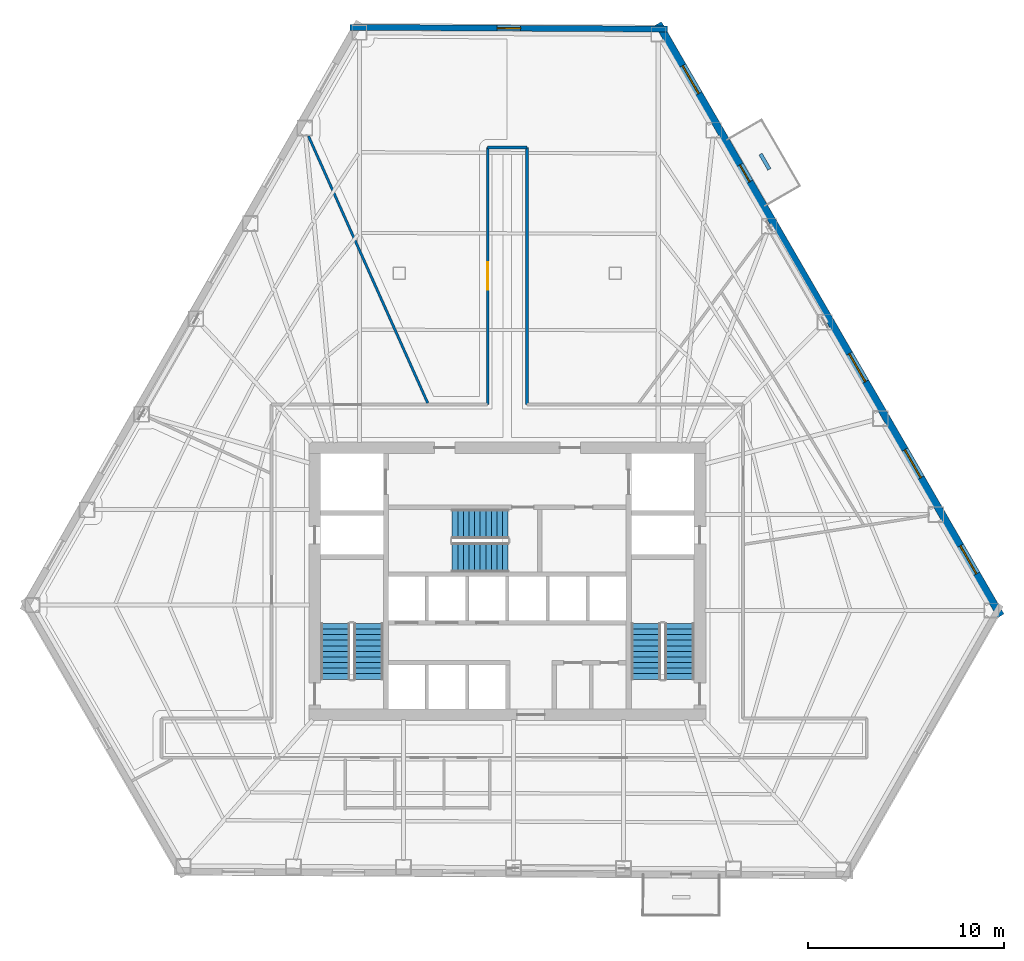
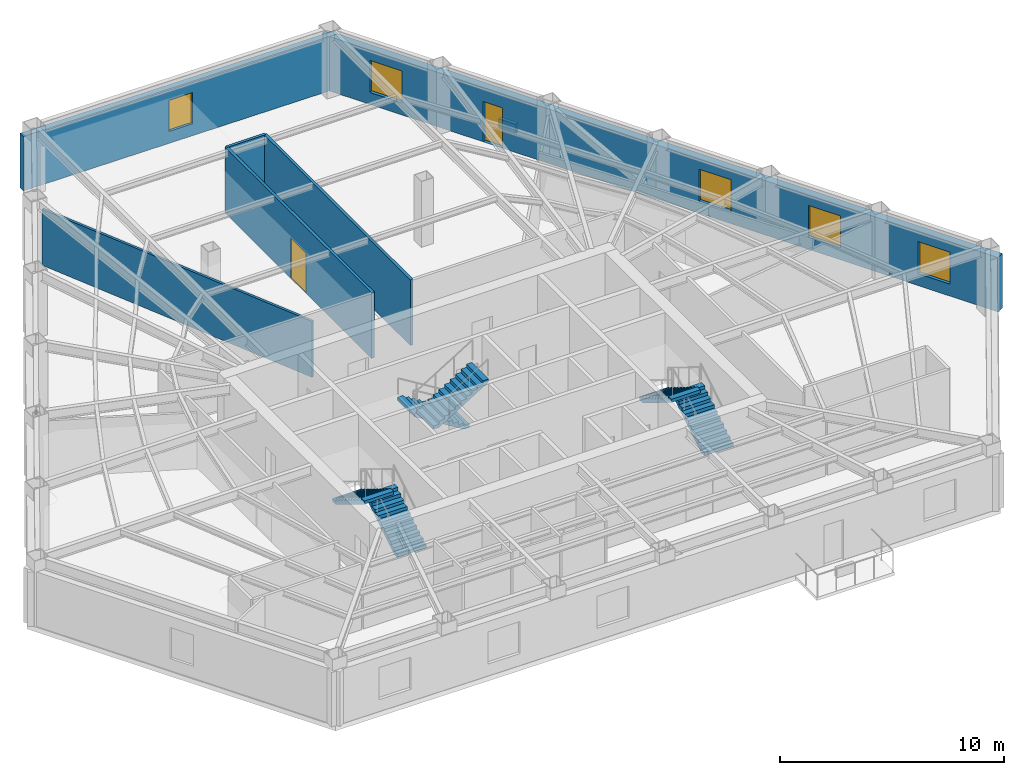
# One storey, part 8 of 12: 7 walls, 6 stair flights, 5 windows, 2 doors, 7 openings, 3 elements without a shape of their own.
"""IFC4 building model written with IfcOpenShell, lengths in metres."""

from ifc_helpers import new_model, si_unit, direction, frame, frame_2d, origin, place, context, subcontext, project, spatial, polyline, rectangle, outline, extrude, material, layer, layer_set, type_object, element, fill, aggregate, save


model = new_model("IFC4")

# Units and contexts
model_context = context("Model", 3, precision=1e-05, world=origin(), true_north=direction((0.0, 1.0)))
body_context = subcontext(model_context, "Body", "Model", "MODEL_VIEW")
ifc_project = project(units=[si_unit("LENGTHUNIT", "METRE"), si_unit("AREAUNIT", "SQUARE_METRE"), si_unit("VOLUMEUNIT", "CUBIC_METRE"), si_unit("PLANEANGLEUNIT", "RADIAN"), si_unit("MASSUNIT", "GRAM", prefix="KILO")], contexts=[model_context])

# Site, building, storey
site_placement = place(None, origin())
site = spatial("IfcSite", under=ifc_project, at=site_placement, CompositionType="ELEMENT")
building_placement = place(site_placement, origin())
building = spatial("IfcBuilding", under=site, at=building_placement, Name="Kavelnor Concourse Tower", CompositionType="ELEMENT")
storey_placement = place(building_placement, frame((0.0, 0.0, 40.64990234375)))
storey = spatial("IfcBuildingStorey", under=building, at=storey_placement, Name="L10", CompositionType="ELEMENT", Elevation=40.64990234375)

# Wall, opening, window
ifc_material_1 = material(Name="Buff ironspot clay face brick masonry", Category="masonry")
ifc_layer_1 = layer(ifc_material_1, 0.300048828125, Name="Buff ironspot clay face brick masonry")
ifc_layer_set_1 = layer_set([ifc_layer_1], Name="Buff ironspot clay face brick masonry")
wall_type_1 = type_object("IfcWallType", Name="WL-EXT-BUFF-BRICK-FOLD-300", PredefinedType="STANDARD", material=ifc_layer_set_1)
wall_1_placement = place(storey_placement, frame((29.977294921875, 44.3349609375, 0.0), z_axis=(0.0, 0.0, 1.0), x_axis=(0.999984941481, -0.005487878522, 0.0)))
wall_1 = element("IfcWall", 1, at=wall_1_placement, inside=storey, type_object=wall_type_1, Name="L10 Exterior Brick Facade Wall E0", PredefinedType="STANDARD", context=body_context, shape_type="SweptSolid", body=[
    extrude(rectangle(XDim=16.193359375, YDim=0.300048828125, at=frame_2d((8.0966796875, 0.0))), origin(), (0.0, 0.0, 1.0), 2.97021484375),
])
opening_1_placement = place(wall_1_placement, frame((7.496826171875, 0.0, 0.64990234375)))
opening_1 = element("IfcOpeningElement", 2, at=opening_1_placement, cuts=wall_1, Name="Opening W-05", PredefinedType="OPENING", context=body_context, shape_type="SweptSolid", body=[
    extrude(rectangle(XDim=1.199951171875, YDim=1.699951171875, at=frame_2d((0.60009765625, 0.85009765625))), frame((0.0, 0.16015625, 0.0), z_axis=(0.0, -1.0, 0.0), x_axis=(1.0, 0.0, 0.0)), (0.0, 0.0, 1.0), 0.320068359375),
])
ifc_material_2 = material(Name="Double low-E argon insulated glazing", Category="glass")
window_type_1 = type_object("IfcWindowType", Name="WIN-FOLD-1200", PartitioningType="SINGLE_PANEL", PredefinedType="WINDOW", material=ifc_material_2)
window_1_placement = place(opening_1_placement, origin())
window_1 = element("IfcWindow", 3, at=window_1_placement, inside=storey, type_object=window_type_1, Name="L10 Chamfer-Fold Facet Window C0", OverallHeight=1.699951171875, OverallWidth=1.199951171875, PartitioningType="SINGLE_PANEL", PredefinedType="WINDOW", context=body_context, shape_type="SweptSolid", body=[
    extrude(rectangle(XDim=1.199951171875, YDim=1.699951171875, at=frame_2d((0.60009765625, 0.85009765625))), frame((0.0, 0.030029296875, 0.0), z_axis=(0.0, -1.0, 0.0), x_axis=(1.0, 0.0, 0.0)), (0.0, 0.0, 1.0), 0.06005859375),
])
fill(opening_1, window_1)

# Wall, openings, door, windows
ifc_material_3 = material(Name="Red-ochre clay face brick masonry", Category="masonry")
ifc_layer_2 = layer(ifc_material_3, 0.3798828125, Name="Red-ochre clay face brick masonry")
ifc_layer_set_2 = layer_set([ifc_layer_2], Name="Red-ochre clay face brick masonry")
wall_type_2 = type_object("IfcWallType", Name="WL-EXT-RED-BRICK-PIER-380", PredefinedType="STANDARD", material=ifc_layer_set_2)
wall_2_placement = place(storey_placement, frame((45.689697265625, 44.525390625, 0.0), z_axis=(0.0, 0.0, 1.0), x_axis=(0.500663446356, -0.865642023866, 0.0)))
wall_2 = element("IfcWall", 4, at=wall_2_placement, inside=storey, type_object=wall_type_2, Name="L10 Exterior Brick Facade Wall E5", PredefinedType="STANDARD", context=body_context, shape_type="SweptSolid", body=[
    extrude(rectangle(XDim=34.8779296875, YDim=0.3798828125, at=frame_2d((17.43896484375, 0.0))), origin(), (0.0, 0.0, 1.0), 2.97021484375),
])
opening_2_placement = place(wall_2_placement, frame((8.3193359375, 0.0, 0.0)))
opening_2 = element("IfcOpeningElement", 5, at=opening_2_placement, cuts=wall_2, Name="Opening BD-100", PredefinedType="OPENING", context=body_context, shape_type="SweptSolid", body=[
    extrude(rectangle(XDim=1.0, YDim=2.199951171875, at=frame_2d((0.5, 1.10009765625))), frame((0.0, 0.199951171875, 0.0), z_axis=(0.0, -1.0, 0.0), x_axis=(1.0, 0.0, 0.0)), (0.0, 0.0, 1.0), 0.39990234375),
])
opening_3_placement = place(wall_2_placement, frame((30.749755859375, 0.0, 0.64990234375)))
opening_3 = element("IfcOpeningElement", 6, at=opening_3_placement, cuts=wall_2, Name="Opening W-01", PredefinedType="OPENING", context=body_context, shape_type="SweptSolid", body=[
    extrude(rectangle(XDim=1.64990234375, YDim=1.75, at=frame_2d((0.824951171875, 0.875))), frame((0.0, 0.199951171875, 0.0), z_axis=(0.0, -1.0, 0.0), x_axis=(1.0, 0.0, 0.0)), (0.0, 0.0, 1.0), 0.39990234375),
])
opening_4_placement = place(wall_2_placement, frame((25.09521484375, 0.0, 0.64990234375)))
opening_4 = element("IfcOpeningElement", 7, at=opening_4_placement, cuts=wall_2, Name="Opening W-01", PredefinedType="OPENING", context=body_context, shape_type="SweptSolid", body=[
    extrude(rectangle(XDim=1.64990234375, YDim=1.75, at=frame_2d((0.824951171875, 0.875))), frame((0.0, 0.199951171875, 0.0), z_axis=(0.0, -1.0, 0.0), x_axis=(1.0, 0.0, 0.0)), (0.0, 0.0, 1.0), 0.39990234375),
])
opening_5_placement = place(wall_2_placement, frame((19.44091796875, 0.0, 0.64990234375)))
opening_5 = element("IfcOpeningElement", 8, at=opening_5_placement, cuts=wall_2, Name="Opening W-01", PredefinedType="OPENING", context=body_context, shape_type="SweptSolid", body=[
    extrude(rectangle(XDim=1.64990234375, YDim=1.75, at=frame_2d((0.824951171875, 0.875))), frame((0.0, 0.199951171875, 0.0), z_axis=(0.0, -1.0, 0.0), x_axis=(1.0, 0.0, 0.0)), (0.0, 0.0, 1.0), 0.39990234375),
])
opening_6_placement = place(wall_2_placement, frame((2.477294921875, 0.0, 0.64990234375)))
opening_6 = element("IfcOpeningElement", 9, at=opening_6_placement, cuts=wall_2, Name="Opening W-01", PredefinedType="OPENING", context=body_context, shape_type="SweptSolid", body=[
    extrude(rectangle(XDim=1.64990234375, YDim=1.75, at=frame_2d((0.824951171875, 0.875))), frame((0.0, 0.199951171875, 0.0), z_axis=(0.0, -1.0, 0.0), x_axis=(1.0, 0.0, 0.0)), (0.0, 0.0, 1.0), 0.39990234375),
])
ifc_material_4 = material(Name="Anodised aluminium 6063-T6", Category="aluminium")
door_type_1 = type_object("IfcDoorType", Name="DR-BALCONY-EXT-1000", OperationType="NOTDEFINED", PredefinedType="DOOR", material=ifc_material_4)
door_1_placement = place(opening_2_placement, origin())
door_1 = element("IfcDoor", 10, at=door_1_placement, inside=storey, type_object=door_type_1, Name="L10 Tree Balcony 2 Glazed Door", OperationType="SINGLE_SWING_RIGHT", OverallHeight=2.199951171875, OverallWidth=1.0, PredefinedType="DOOR", context=body_context, shape_type="SweptSolid", body=[
    extrude(rectangle(XDim=1.0, YDim=2.199951171875, at=frame_2d((0.5, 1.10009765625))), frame((0.0, 0.02490234375, 0.0), z_axis=(0.0, -1.0, 0.0), x_axis=(1.0, 0.0, 0.0)), (0.0, 0.0, 1.0), 0.050048828125),
])
fill(opening_2, door_1)
window_type_2 = type_object("IfcWindowType", Name="WIN-PIER-Z1-1800", PartitioningType="SINGLE_PANEL", PredefinedType="WINDOW", material=ifc_material_2)
window_2_placement = place(opening_3_placement, origin())
window_2 = element("IfcWindow", 11, at=window_2_placement, inside=storey, type_object=window_type_2, Name="L10 Deep-Set Brick Pier Window F2-B0", OverallHeight=1.75, OverallWidth=1.64990234375, PartitioningType="SINGLE_PANEL", PredefinedType="WINDOW", context=body_context, shape_type="SweptSolid", body=[
    extrude(rectangle(XDim=1.64990234375, YDim=1.75, at=frame_2d((0.824951171875, 0.875))), frame((0.0, 0.030029296875, 0.0), z_axis=(0.0, -1.0, 0.0), x_axis=(1.0, 0.0, 0.0)), (0.0, 0.0, 1.0), 0.06005859375),
])
fill(opening_3, window_2)
window_3_placement = place(opening_4_placement, origin())
window_3 = element("IfcWindow", 12, at=window_3_placement, inside=storey, type_object=window_type_2, Name="L10 Deep-Set Brick Pier Window F2-B1", OverallHeight=1.75, OverallWidth=1.64990234375, PartitioningType="SINGLE_PANEL", PredefinedType="WINDOW", context=body_context, shape_type="SweptSolid", body=[
    extrude(rectangle(XDim=1.64990234375, YDim=1.75, at=frame_2d((0.824951171875, 0.875))), frame((0.0, 0.030029296875, 0.0), z_axis=(0.0, -1.0, 0.0), x_axis=(1.0, 0.0, 0.0)), (0.0, 0.0, 1.0), 0.06005859375),
])
fill(opening_4, window_3)
window_4_placement = place(opening_5_placement, origin())
window_4 = element("IfcWindow", 13, at=window_4_placement, inside=storey, type_object=window_type_2, Name="L10 Deep-Set Brick Pier Window F2-B2", OverallHeight=1.75, OverallWidth=1.64990234375, PartitioningType="SINGLE_PANEL", PredefinedType="WINDOW", context=body_context, shape_type="SweptSolid", body=[
    extrude(rectangle(XDim=1.64990234375, YDim=1.75, at=frame_2d((0.824951171875, 0.875))), frame((0.0, 0.030029296875, 0.0), z_axis=(0.0, -1.0, 0.0), x_axis=(1.0, 0.0, 0.0)), (0.0, 0.0, 1.0), 0.06005859375),
])
fill(opening_5, window_4)
window_5_placement = place(opening_6_placement, origin())
window_5 = element("IfcWindow", 14, at=window_5_placement, inside=storey, type_object=window_type_2, Name="L10 Deep-Set Brick Pier Window F2-B5", OverallHeight=1.75, OverallWidth=1.64990234375, PartitioningType="SINGLE_PANEL", PredefinedType="WINDOW", context=body_context, shape_type="SweptSolid", body=[
    extrude(rectangle(XDim=1.64990234375, YDim=1.75, at=frame_2d((0.824951171875, 0.875))), frame((0.0, 0.030029296875, 0.0), z_axis=(0.0, -1.0, 0.0), x_axis=(1.0, 0.0, 0.0)), (0.0, 0.0, 1.0), 0.06005859375),
])
fill(opening_6, window_5)

# Wall, opening, door
ifc_material_5 = material(Name="Gypsum plasterboard on light-gauge steel studs", Category="steel")
ifc_layer_3 = layer(ifc_material_5, 0.14501953125, Name="Gypsum plasterboard on light-gauge steel studs")
ifc_layer_set_3 = layer_set([ifc_layer_3], Name="Gypsum plasterboard on light-gauge steel studs")
wall_type_3 = type_object("IfcWallType", Name="WL-INT-CORR-145", PredefinedType="PARTITIONING", material=ifc_layer_set_3)
wall_3_placement = place(storey_placement, frame((37.0, 25.10009765625, 0.0), z_axis=(0.0, 0.0, 1.0), x_axis=(0.0, 1.0, 0.0)))
wall_3 = element("IfcWall", 15, at=wall_3_placement, inside=storey, type_object=wall_type_3, Name="L10 Corridor Wall WL-L10-CR-04", PredefinedType="PARTITIONING", context=body_context, shape_type="SweptSolid", body=[
    extrude(rectangle(XDim=13.099853515625, YDim=0.14501953125, at=frame_2d((6.5498046875, 0.0))), origin(), (0.0, 0.0, 1.0), 3.590087890625),
])
opening_7_placement = place(wall_3_placement, frame((5.85009765625, 0.0, 0.0)))
opening_7 = element("IfcOpeningElement", 16, at=opening_7_placement, cuts=wall_3, Name="Opening SD-140", PredefinedType="OPENING", context=body_context, shape_type="SweptSolid", body=[
    extrude(rectangle(XDim=1.39990234375, YDim=2.199951171875, at=frame_2d((0.699951171875, 1.10009765625))), frame((0.0, 0.08251953125, 0.0), z_axis=(0.0, -1.0, 0.0), x_axis=(1.0, 0.0, 0.0)), (0.0, 0.0, 1.0), 0.1650390625),
])
ifc_material_6 = material(Name="Solid-core hardwood timber", Category="wood")
door_type_2 = type_object("IfcDoorType", Name="DR-SUITE-ENTRY-1400", OperationType="NOTDEFINED", PredefinedType="DOOR", material=ifc_material_6)
door_2_placement = place(opening_7_placement, origin())
door_2 = element("IfcDoor", 17, at=door_2_placement, inside=storey, type_object=door_type_2, Name="L10 Tenant Bookstore Retail Shop 03 Door", OperationType="SINGLE_SWING_RIGHT", OverallHeight=2.199951171875, OverallWidth=1.39990234375, PredefinedType="DOOR", context=body_context, shape_type="SweptSolid", body=[
    extrude(rectangle(XDim=1.39990234375, YDim=2.199951171875, at=frame_2d((0.699951171875, 1.10009765625))), frame((0.0, 0.02490234375, 0.0), z_axis=(0.0, -1.0, 0.0), x_axis=(1.0, 0.0, 0.0)), (0.0, 0.0, 1.0), 0.050048828125),
])
fill(opening_7, door_2)

# Walls
wall_4_placement = place(storey_placement, frame((37.0, 38.199951171875, 0.0), z_axis=(0.0, 0.0, 1.0), x_axis=(1.0, 0.0, 0.0)))
element("IfcWall", 18, at=wall_4_placement, inside=storey, type_object=wall_type_3, Name="L10 Corridor Wall WL-L10-CR-05", PredefinedType="PARTITIONING", context=body_context, shape_type="SweptSolid", body=[
    extrude(rectangle(XDim=2.0, YDim=0.14501953125, at=frame_2d((1.0, 0.0))), origin(), (0.0, 0.0, 1.0), 3.590087890625),
])
wall_5_placement = place(storey_placement, frame((39.0, 38.199951171875, 0.0), z_axis=(0.0, 0.0, 1.0), x_axis=(0.0, -1.0, 0.0)))
element("IfcWall", 19, at=wall_5_placement, inside=storey, type_object=wall_type_3, Name="L10 Corridor Wall WL-L10-CR-06", PredefinedType="PARTITIONING", context=body_context, shape_type="SweptSolid", body=[
    extrude(rectangle(XDim=13.099853515625, YDim=0.14501953125, at=frame_2d((6.5498046875, 0.0))), origin(), (0.0, 0.0, 1.0), 3.590087890625),
])
ifc_layer_4 = layer(ifc_material_5, 0.125, Name="Gypsum plasterboard on light-gauge steel studs")
ifc_layer_set_4 = layer_set([ifc_layer_4], Name="Gypsum plasterboard on light-gauge steel studs")
wall_type_4 = type_object("IfcWallType", Name="WL-INT-SUITE-125", PredefinedType="PARTITIONING", material=ifc_layer_set_4)
wall_6_placement = place(storey_placement, frame((33.94287109375, 25.180419921875, 0.0), z_axis=(0.0, 0.0, 1.0), x_axis=(-0.407913921954, 0.913020389847, 0.0)))
element("IfcWall", 20, at=wall_6_placement, inside=storey, type_object=wall_type_4, Name="L10 Radial Suite Partition 03", PredefinedType="PARTITIONING", context=body_context, shape_type="SweptSolid", body=[
    extrude(rectangle(XDim=14.908203125, YDim=0.125, at=frame_2d((7.4541015625, 0.0))), origin(), (0.0, 0.0, 1.0), 3.05712890625),
])
ifc_material_7 = material(Name="Architectural precast planter concrete C40/50", Category="concrete")
ifc_layer_5 = layer(ifc_material_7, 0.18994140625, Name="Architectural precast planter concrete C40/50")
ifc_layer_set_5 = layer_set([ifc_layer_5], Name="Architectural precast planter concrete C40/50")
wall_type_5 = type_object("IfcWallType", Name="WL-PLANTER-KERB-190", PredefinedType="USERDEFINED", material=ifc_layer_set_5)
wall_7_placement = place(storey_placement, frame((51.3564453125, 37.094482421875, 0.0), z_axis=(0.0, 0.0, 1.0), x_axis=(-0.500747535571, 0.865593383535, 0.0)))
element("IfcWall", 21, at=wall_7_placement, inside=storey, type_object=wall_type_5, Name="L10 Tree Balcony 2 Tree Planter Kerb", ObjectType="PLANTER", PredefinedType="USERDEFINED", context=body_context, shape_type="SweptSolid", body=[
    extrude(rectangle(XDim=0.89990234375, YDim=0.18994140625, at=frame_2d((0.449951171875, 0.0))), origin(), (0.0, 0.0, 1.0), 0.5),
])

# Stair, stair flights
ifc_material_8 = material(Name="Concrete C40/50", Category="concrete")
stair_type = type_object("IfcStairType", Name="STR-CORE-1500", PredefinedType="HALF_TURN_STAIR", material=ifc_material_8)
stair_1_placement = place(storey_placement, origin())
stair_1 = element("IfcStair", 22, at=stair_1_placement, inside=storey, type_object=stair_type, Name="L10 ST1", PredefinedType="HALF_TURN_STAIR")
stair_flight_type = type_object("IfcStairFlightType", Name="STR-FLIGHT-1500", PredefinedType="STRAIGHT", material=ifc_material_8)
stair_flight_1_placement = place(storey_placement, frame((30.929931640625, 11.10009765625, 0.0), z_axis=(0.0, 0.0, 1.0), x_axis=(0.0, 1.0, 0.0)))
stair_flight_1 = element("IfcStairFlight", 23, at=stair_flight_1_placement, type_object=stair_flight_type, Name="ST1 flight 1", NumberOfRisers=11, NumberOfTreads=10, PredefinedType="STRAIGHT", RiserHeight=0.175, TreadLength=0.285, context=body_context, shape_type="SweptSolid", body=[
    extrude(outline(polyline([(0.0, 0.0), (0.0, 0.175048828125), (0.284912109375, 0.175048828125), (0.284912109375, 0.35009765625), (0.570068359375, 0.35009765625), (0.570068359375, 0.52490234375), (0.85498046875, 0.52490234375), (0.85498046875, 0.699951171875), (1.139892578125, 0.699951171875), (1.139892578125, 0.875), (1.425048828125, 0.875), (1.425048828125, 1.050048828125), (1.7099609375, 1.050048828125), (1.7099609375, 1.22509765625), (1.9951171875, 1.22509765625), (1.9951171875, 1.39990234375), (2.280029296875, 1.39990234375), (2.280029296875, 1.574951171875), (2.56494140625, 1.574951171875), (2.56494140625, 1.75), (2.85009765625, 1.75), (2.85009765625, 1.925048828125), (2.85009765625, 1.573974609375), (0.286376953125, 0.0), (0.0, 0.0)])), frame((0.0, 0.75, 0.0), z_axis=(0.0, -1.0, 0.0), x_axis=(1.0, 0.0, 0.0)), (0.0, 0.0, 1.0), 1.5),
])
stair_flight_2_placement = place(storey_placement, frame((29.22998046875, 13.949951171875, 1.925048828125), z_axis=(0.0, 0.0, 1.0), x_axis=(0.0, -1.0, 0.0)))
stair_flight_2 = element("IfcStairFlight", 24, at=stair_flight_2_placement, type_object=stair_flight_type, Name="ST1 flight 2", NumberOfRisers=11, NumberOfTreads=10, PredefinedType="STRAIGHT", RiserHeight=0.175, TreadLength=0.285, context=body_context, shape_type="SweptSolid", body=[
    extrude(outline(polyline([(0.0, 0.0), (0.0, 0.175048828125), (0.284912109375, 0.175048828125), (0.284912109375, 0.35009765625), (0.570068359375, 0.35009765625), (0.570068359375, 0.52490234375), (0.85498046875, 0.52490234375), (0.85498046875, 0.699951171875), (1.139892578125, 0.699951171875), (1.139892578125, 0.875), (1.425048828125, 0.875), (1.425048828125, 1.050048828125), (1.7099609375, 1.050048828125), (1.7099609375, 1.22509765625), (1.9951171875, 1.22509765625), (1.9951171875, 1.39990234375), (2.280029296875, 1.39990234375), (2.280029296875, 1.574951171875), (2.56494140625, 1.574951171875), (2.56494140625, 1.75), (2.85009765625, 1.75), (2.85009765625, 1.925048828125), (2.85009765625, 1.573974609375), (0.286376953125, 0.0), (0.0, 0.0)])), frame((0.0, 0.75, 0.0), z_axis=(0.0, -1.0, 0.0), x_axis=(1.0, 0.0, 0.0)), (0.0, 0.0, 1.0), 1.5),
])
aggregate(stair_1, [stair_flight_1, stair_flight_2])

stair_2_placement = place(storey_placement, origin())
stair_2 = element("IfcStair", 25, at=stair_2_placement, inside=storey, type_object=stair_type, Name="L10 ST2", PredefinedType="HALF_TURN_STAIR")
stair_flight_3_placement = place(storey_placement, frame((46.77001953125, 11.10009765625, 0.0), z_axis=(0.0, 0.0, 1.0), x_axis=(0.0, 1.0, 0.0)))
stair_flight_3 = element("IfcStairFlight", 26, at=stair_flight_3_placement, type_object=stair_flight_type, Name="ST2 flight 1", NumberOfRisers=11, NumberOfTreads=10, PredefinedType="STRAIGHT", RiserHeight=0.175, TreadLength=0.285, context=body_context, shape_type="SweptSolid", body=[
    extrude(outline(polyline([(0.0, 0.0), (0.0, 0.175048828125), (0.284912109375, 0.175048828125), (0.284912109375, 0.35009765625), (0.570068359375, 0.35009765625), (0.570068359375, 0.52490234375), (0.85498046875, 0.52490234375), (0.85498046875, 0.699951171875), (1.139892578125, 0.699951171875), (1.139892578125, 0.875), (1.425048828125, 0.875), (1.425048828125, 1.050048828125), (1.7099609375, 1.050048828125), (1.7099609375, 1.22509765625), (1.9951171875, 1.22509765625), (1.9951171875, 1.39990234375), (2.280029296875, 1.39990234375), (2.280029296875, 1.574951171875), (2.56494140625, 1.574951171875), (2.56494140625, 1.75), (2.85009765625, 1.75), (2.85009765625, 1.925048828125), (2.85009765625, 1.573974609375), (0.286376953125, 0.0), (0.0, 0.0)])), frame((0.0, 0.75, 0.0), z_axis=(0.0, -1.0, 0.0), x_axis=(1.0, 0.0, 0.0)), (0.0, 0.0, 1.0), 1.5),
])
stair_flight_4_placement = place(storey_placement, frame((45.070068359375, 13.949951171875, 1.925048828125), z_axis=(0.0, 0.0, 1.0), x_axis=(0.0, -1.0, 0.0)))
stair_flight_4 = element("IfcStairFlight", 27, at=stair_flight_4_placement, type_object=stair_flight_type, Name="ST2 flight 2", NumberOfRisers=11, NumberOfTreads=10, PredefinedType="STRAIGHT", RiserHeight=0.175, TreadLength=0.285, context=body_context, shape_type="SweptSolid", body=[
    extrude(outline(polyline([(0.0, 0.0), (0.0, 0.175048828125), (0.284912109375, 0.175048828125), (0.284912109375, 0.35009765625), (0.570068359375, 0.35009765625), (0.570068359375, 0.52490234375), (0.85498046875, 0.52490234375), (0.85498046875, 0.699951171875), (1.139892578125, 0.699951171875), (1.139892578125, 0.875), (1.425048828125, 0.875), (1.425048828125, 1.050048828125), (1.7099609375, 1.050048828125), (1.7099609375, 1.22509765625), (1.9951171875, 1.22509765625), (1.9951171875, 1.39990234375), (2.280029296875, 1.39990234375), (2.280029296875, 1.574951171875), (2.56494140625, 1.574951171875), (2.56494140625, 1.75), (2.85009765625, 1.75), (2.85009765625, 1.925048828125), (2.85009765625, 1.573974609375), (0.286376953125, 0.0), (0.0, 0.0)])), frame((0.0, 0.75, 0.0), z_axis=(0.0, -1.0, 0.0), x_axis=(1.0, 0.0, 0.0)), (0.0, 0.0, 1.0), 1.5),
])
aggregate(stair_2, [stair_flight_3, stair_flight_4])

stair_3_placement = place(storey_placement, origin())
stair_3 = element("IfcStair", 28, at=stair_3_placement, inside=storey, type_object=stair_type, Name="L10 ST3", PredefinedType="HALF_TURN_STAIR")
stair_flight_5_placement = place(storey_placement, frame((38.0400390625, 19.010009765625, 0.0), z_axis=(0.0, 0.0, 1.0), x_axis=(-1.0, 0.0, 0.0)))
stair_flight_5 = element("IfcStairFlight", 29, at=stair_flight_5_placement, type_object=stair_flight_type, Name="ST3 flight 1", NumberOfRisers=11, NumberOfTreads=10, PredefinedType="STRAIGHT", RiserHeight=0.175, TreadLength=0.285, context=body_context, shape_type="SweptSolid", body=[
    extrude(outline(polyline([(0.0, 0.0), (0.0, 0.175048828125), (0.284912109375, 0.175048828125), (0.284912109375, 0.35009765625), (0.570068359375, 0.35009765625), (0.570068359375, 0.52490234375), (0.85498046875, 0.52490234375), (0.85498046875, 0.699951171875), (1.139892578125, 0.699951171875), (1.139892578125, 0.875), (1.425048828125, 0.875), (1.425048828125, 1.050048828125), (1.7099609375, 1.050048828125), (1.7099609375, 1.22509765625), (1.9951171875, 1.22509765625), (1.9951171875, 1.39990234375), (2.280029296875, 1.39990234375), (2.280029296875, 1.574951171875), (2.56494140625, 1.574951171875), (2.56494140625, 1.75), (2.85009765625, 1.75), (2.85009765625, 1.925048828125), (2.85009765625, 1.573974609375), (0.286376953125, 0.0), (0.0, 0.0)])), frame((0.0, 0.75, 0.0), z_axis=(0.0, -1.0, 0.0), x_axis=(1.0, 0.0, 0.0)), (0.0, 0.0, 1.0), 1.5),
])
stair_flight_6_placement = place(storey_placement, frame((35.18994140625, 17.31005859375, 1.925048828125), z_axis=(0.0, 0.0, 1.0), x_axis=(1.0, 0.0, 0.0)))
stair_flight_6 = element("IfcStairFlight", 30, at=stair_flight_6_placement, type_object=stair_flight_type, Name="ST3 flight 2", NumberOfRisers=11, NumberOfTreads=10, PredefinedType="STRAIGHT", RiserHeight=0.175, TreadLength=0.285, context=body_context, shape_type="SweptSolid", body=[
    extrude(outline(polyline([(0.0, 0.0), (0.0, 0.175048828125), (0.284912109375, 0.175048828125), (0.284912109375, 0.35009765625), (0.570068359375, 0.35009765625), (0.570068359375, 0.52490234375), (0.85498046875, 0.52490234375), (0.85498046875, 0.699951171875), (1.139892578125, 0.699951171875), (1.139892578125, 0.875), (1.425048828125, 0.875), (1.425048828125, 1.050048828125), (1.7099609375, 1.050048828125), (1.7099609375, 1.22509765625), (1.9951171875, 1.22509765625), (1.9951171875, 1.39990234375), (2.280029296875, 1.39990234375), (2.280029296875, 1.574951171875), (2.56494140625, 1.574951171875), (2.56494140625, 1.75), (2.85009765625, 1.75), (2.85009765625, 1.925048828125), (2.85009765625, 1.573974609375), (0.286376953125, 0.0), (0.0, 0.0)])), frame((0.0, 0.75, 0.0), z_axis=(0.0, -1.0, 0.0), x_axis=(1.0, 0.0, 0.0)), (0.0, 0.0, 1.0), 1.5),
])
aggregate(stair_3, [stair_flight_5, stair_flight_6])

save(model, "model.ifc")
